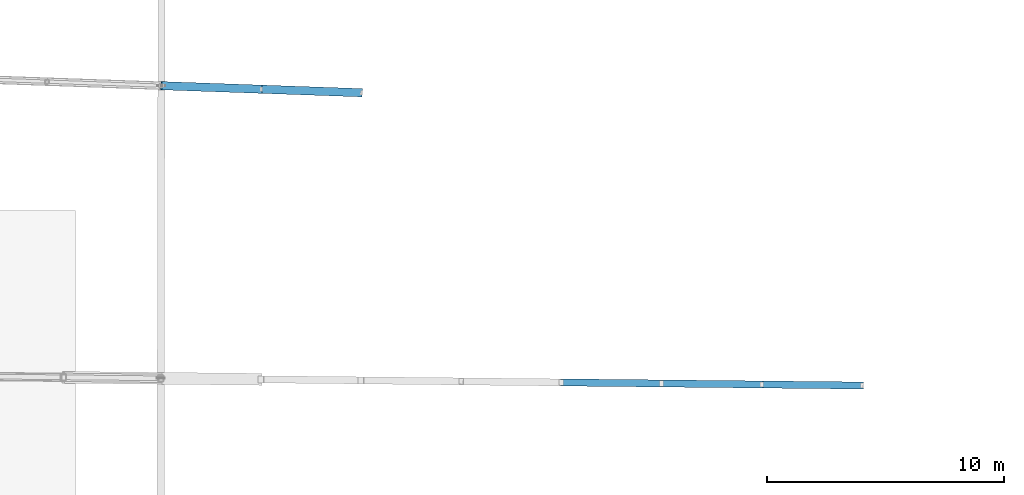
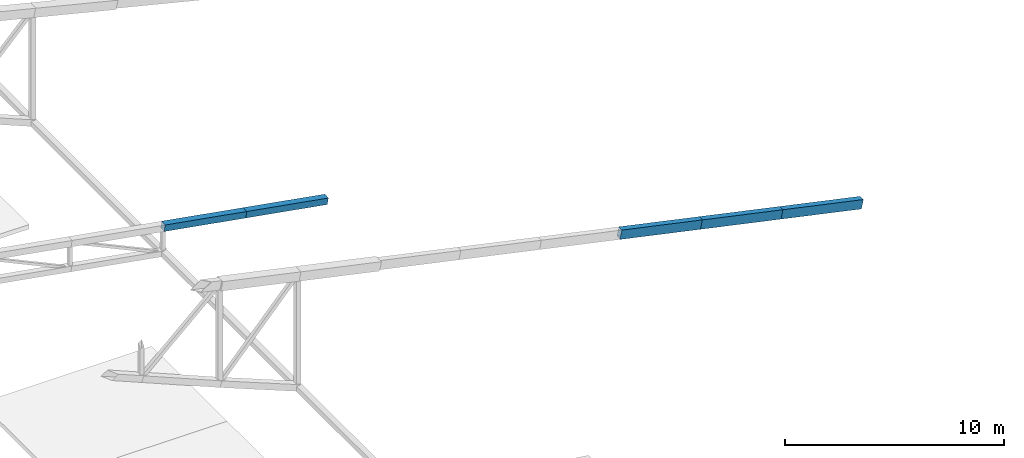
# One storey, part 39 of 188: 5 members.
"""IFC4 building model written with IfcOpenShell, lengths in metres."""

from ifc_helpers import new_model, si_unit, direction, frame, origin, origin_2d, place, context, subcontext, project, spatial, hollow_rectangle, extrude, material, material_profile, profile_set, type_object, element, save


model = new_model("IFC4")

# Units and contexts
model_context = context("Model", 3, precision=1e-05, world=origin(), true_north=direction((0.0, 1.0)))
body_context = subcontext(model_context, "Body", "Model", "MODEL_VIEW")
ifc_project = project(units=[si_unit("LENGTHUNIT", "METRE"), si_unit("AREAUNIT", "SQUARE_METRE"), si_unit("VOLUMEUNIT", "CUBIC_METRE"), si_unit("PLANEANGLEUNIT", "RADIAN"), si_unit("MASSUNIT", "GRAM", prefix="KILO")], contexts=[model_context])

# Site, building, storey
site_placement = place(None, origin())
site = spatial("IfcSite", under=ifc_project, at=site_placement, CompositionType="ELEMENT")
building_placement = place(site_placement, origin())
building = spatial("IfcBuilding", under=site, at=building_placement, Name="Meseta Stadium", CompositionType="ELEMENT")
storey_placement = place(building_placement, frame((0.0, 0.0, 30.0)))
storey = spatial("IfcBuildingStorey", under=building, at=storey_placement, Name="ROOF", CompositionType="ELEMENT", Elevation=30.0)

# Members
ifc_material_1 = material(Name="Steel S355", Category="steel")
ifc_material_profile_1 = material_profile(ifc_material_1, hollow_rectangle(XDim=0.300048828125, YDim=0.5, WallThickness=0.01611328125, at=origin_2d()), Name="RHS 500x300x16")
ifc_profile_set_1 = profile_set([ifc_material_profile_1], Name="Steel S355")
member_type_1 = type_object("IfcMemberType", Name="RHS 500x300x16 top chord", PredefinedType="CHORD", material=ifc_profile_set_1)
member_1_placement = place(storey_placement, frame((-55.443603515625, 5.777587890625, 0.873291015625), z_axis=(-0.978700824096, 0.010073945914, 0.205044415989), x_axis=(-0.010292636977, -0.999947029409, 0.0)))
element("IfcMember", 1, at=member_1_placement, inside=storey, type_object=member_type_1, Name="ROOF TRUSS RT-32 top chord", PredefinedType="CHORD", context=body_context, shape_type="SweptSolid", body=[
    extrude(hollow_rectangle(XDim=0.300048828125, YDim=0.5, WallThickness=0.01611328125, at=origin_2d()), origin(), (0.0, 0.0, 1.0), 4.313720703125),
])
member_2_placement = place(storey_placement, frame((-59.66552734375, 5.821044921875, 1.7578125), z_axis=(-0.978703209085, 0.010073387951, 0.205033059241), x_axis=(-0.010292041883, -0.999947035534, 0.0)))
element("IfcMember", 2, at=member_2_placement, inside=storey, type_object=member_type_1, Name="ROOF TRUSS RT-32 top chord", PredefinedType="CHORD", context=body_context, shape_type="SweptSolid", body=[
    extrude(hollow_rectangle(XDim=0.300048828125, YDim=0.5, WallThickness=0.01611328125, at=origin_2d()), origin(), (0.0, 0.0, 1.0), 4.31396484375),
])
member_3_placement = place(storey_placement, frame((-63.8876953125, 5.864501953125, 2.642333984375), z_axis=(-0.978701380522, 0.010017356407, 0.205044532564), x_axis=(-0.010234819248, -0.999947622866, 0.0)))
element("IfcMember", 3, at=member_3_placement, inside=storey, type_object=member_type_1, Name="ROOF TRUSS RT-32 top chord", PredefinedType="CHORD", context=body_context, shape_type="SweptSolid", body=[
    extrude(hollow_rectangle(XDim=0.300048828125, YDim=0.5, WallThickness=0.01611328125, at=origin_2d()), origin(), (0.0, 0.0, 1.0), 4.313720703125),
])
ifc_material_2 = material(Name="Steel S355", Category="steel")
ifc_material_profile_2 = material_profile(ifc_material_2, hollow_rectangle(XDim=0.35009765625, YDim=0.35009765625, WallThickness=0.010009765625, at=origin_2d()), Name="SHS 350x350x10")
ifc_profile_set_2 = profile_set([ifc_material_profile_2], Name="Steel S355")
member_type_2 = type_object("IfcMemberType", Name="SHS 350x350x10 top chord", PredefinedType="CHORD", material=ifc_profile_set_2)
member_4_placement = place(storey_placement, frame((-76.533935546875, 18.11328125, 0.9619140625), z_axis=(-0.988331847912, 0.03482578808, 0.148281229048), x_axis=(-0.035215082554, -0.999379756629, 0.0)))
element("IfcMember", 4, at=member_4_placement, inside=storey, type_object=member_type_2, Name="ROOF TRUSS RT-31 top chord", PredefinedType="CHORD", context=body_context, shape_type="SweptSolid", body=[
    extrude(hollow_rectangle(XDim=0.35009765625, YDim=0.35009765625, WallThickness=0.010009765625, at=origin_2d()), origin(), (0.0, 0.0, 1.0), 4.269287109375),
])
member_5_placement = place(storey_placement, frame((-80.75341796875, 18.261962890625, 1.594970703125), z_axis=(-0.988333174505, 0.034823819907, 0.148272848964), x_axis=(-0.035213047643, -0.999379828331, 0.0)))
element("IfcMember", 5, at=member_5_placement, inside=storey, type_object=member_type_2, Name="ROOF TRUSS RT-31 top chord", PredefinedType="CHORD", context=body_context, shape_type="SweptSolid", body=[
    extrude(hollow_rectangle(XDim=0.35009765625, YDim=0.35009765625, WallThickness=0.010009765625, at=origin_2d()), origin(), (0.0, 0.0, 1.0), 4.26953125),
])

save(model, "model.ifc")
